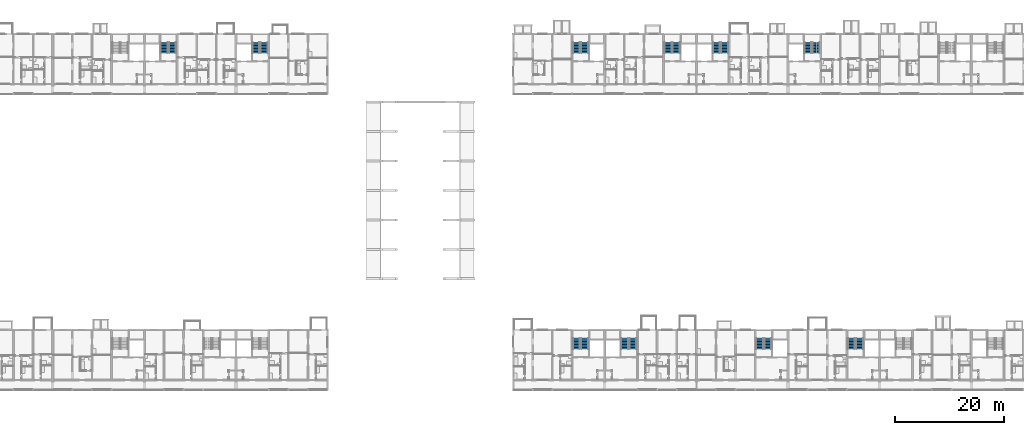
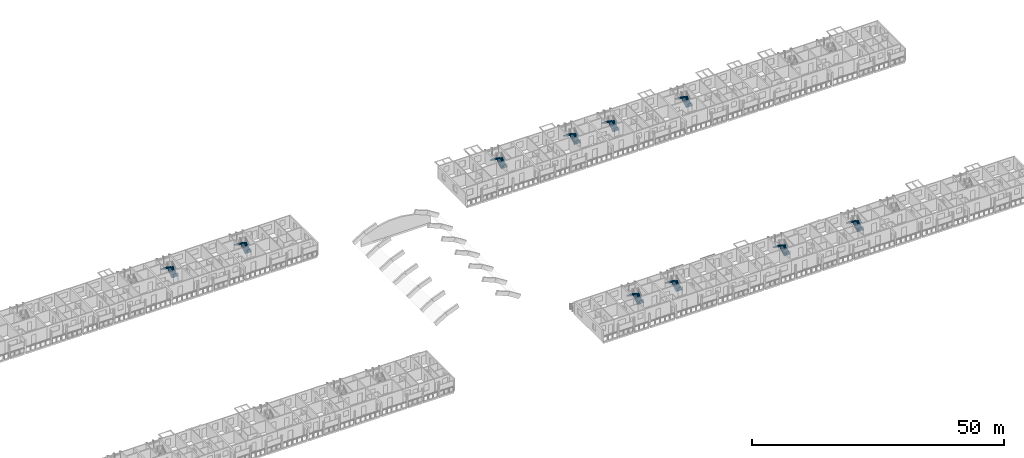
# One storey, part 61 of 99: 20 stair flights, 10 elements without a shape of their own.
"""IFC4 building model written with IfcOpenShell, lengths in metres."""

import ifcopenshell
import ifcopenshell.guid

model = None  # the IFC model being written
_history = None  # IfcOwnerHistory: only IFC2X3 demands one
_inside = {}  # id of a spatial element -> (the spatial element, [elements in it])
_under = {}  # id of a project, library or spatial element -> (it, [spatial elements below it])
_declared = {}  # id of a project -> (the project, [libraries it declares])
_typed = {}  # id of a type object -> (the type object, [elements of that type])
_made_of = {}  # id of a material, layer set ... -> (it, [elements and type objects made of it])


def new_model(schema):
    """Start an empty IFC model of exactly this schema.

    Asked for "IFC4X3", IfcOpenShell would pick the latest addendum, in which some entities
    have other attributes; the version numbers below select the first issue.
    IFC2X3 requires an IfcOwnerHistory on every rooted entity: one is made here for all.
    """
    global model, _history
    if schema == "IFC4X3":
        model = ifcopenshell.file(schema_version=(4, 3, 0, 0))
    else:
        model = ifcopenshell.file(schema=schema)
    _inside.clear()
    _under.clear()
    _declared.clear()
    _typed.clear()
    _made_of.clear()
    _history = None
    if model.schema == "IFC2X3":
        org = make("IfcOrganization", Name="unknown")
        user = make(
            "IfcPersonAndOrganization",
            ThePerson=make("IfcPerson", FamilyName="unknown"),
            TheOrganization=org,
        )
        app = make(
            "IfcApplication",
            ApplicationDeveloper=org,
            Version="unknown",
            ApplicationFullName="unknown",
            ApplicationIdentifier="unknown",
        )
        _history = make(
            "IfcOwnerHistory",
            OwningUser=user,
            OwningApplication=app,
            ChangeAction="ADDED",
            CreationDate=0,
        )
    return model


def make(cls, **values):
    """One entity of the class cls with the attributes given. An attribute that is None is left unset."""
    return model.create_entity(
        cls, **{name: value for name, value in values.items() if value is not None}
    )


def rooted(cls, **values):
    """An entity with a GlobalId (a new one), such as an element, a storey or a relation."""
    return make(cls, GlobalId=ifcopenshell.guid.new(), OwnerHistory=_history, **values)


def si_unit(unit_type, name, prefix=None):
    """IfcSIUnit, for example si_unit("LENGTHUNIT", "METRE", prefix="MILLI")."""
    return make("IfcSIUnit", UnitType=unit_type, Prefix=prefix, Name=name)


def assignment(units):
    """IfcUnitAssignment: the units of a project."""
    return None if units is None else make("IfcUnitAssignment", Units=units)


def point(xyz):
    """IfcCartesianPoint."""
    return None if xyz is None else make("IfcCartesianPoint", Coordinates=xyz)


def direction(xyz):
    """IfcDirection."""
    return None if xyz is None else make("IfcDirection", DirectionRatios=xyz)


def frame(location, z_axis=None, x_axis=None):
    """IfcAxis2Placement3D, a coordinate frame: its origin and axes. An axis left out is left unset."""
    return make(
        "IfcAxis2Placement3D",
        Location=point(location),
        Axis=direction(z_axis),
        RefDirection=direction(x_axis),
    )


def origin():
    """The frame at (0, 0, 0) with its axes left unset."""
    return frame((0.0, 0.0, 0.0))


def place(relative_to, where):
    """IfcLocalPlacement: puts the frame where relative to a parent placement (None: the world)."""
    return make(
        "IfcLocalPlacement", PlacementRelTo=relative_to, RelativePlacement=where
    )


def context(
    kind, dimensions, precision=None, world=None, true_north=None, identifier=None
):
    """IfcGeometricRepresentationContext, for example the 3D "Model" context."""
    return make(
        "IfcGeometricRepresentationContext",
        ContextIdentifier=identifier,
        ContextType=kind,
        CoordinateSpaceDimension=dimensions,
        Precision=precision,
        WorldCoordinateSystem=world,
        TrueNorth=true_north,
    )


def subcontext(parent, identifier, kind, view, scale=None):
    """IfcGeometricRepresentationSubContext, for example "Body" below "Model"."""
    return make(
        "IfcGeometricRepresentationSubContext",
        ContextIdentifier=identifier,
        ContextType=kind,
        ParentContext=parent,
        TargetScale=scale,
        TargetView=view,
    )


def project(units=None, contexts=None):
    """IfcProject with its units and contexts."""
    return rooted(
        "IfcProject",
        Name="project",
        RepresentationContexts=contexts,
        UnitsInContext=assignment(units),
    )


def spatial(cls, under=None, at=None, **own):
    """A site, building, storey or space (cls), placed at a placement, below another one or the project."""
    s = rooted(cls, ObjectPlacement=at, **own)
    if under is not None:
        _under.setdefault(under.id(), (under, []))[1].append(s)
    return s


def polyline(points):
    """IfcPolyline through the points."""
    return make("IfcPolyline", Points=[point(p) for p in points])


def outline(outer, holes=None, kind="AREA"):
    """IfcArbitraryClosedProfileDef: a profile drawn as a closed curve; with holes, ...WithVoids."""
    if holes is None:
        return make("IfcArbitraryClosedProfileDef", ProfileType=kind, OuterCurve=outer)
    return make(
        "IfcArbitraryProfileDefWithVoids",
        ProfileType=kind,
        OuterCurve=outer,
        InnerCurves=holes,
    )


def extrude(swept, where, along, depth):
    """IfcExtrudedAreaSolid: the profile swept, set in the frame where, extruded along a direction by depth."""
    return make(
        "IfcExtrudedAreaSolid",
        SweptArea=swept,
        Position=where,
        ExtrudedDirection=direction(along),
        Depth=depth,
    )


def shape(context_of_items, identifier, shape_type, items):
    """IfcShapeRepresentation: the items that make up one representation, for example the "Body"."""
    return make(
        "IfcShapeRepresentation",
        ContextOfItems=context_of_items,
        RepresentationIdentifier=identifier,
        RepresentationType=shape_type,
        Items=items,
    )


def material(Name=None, Category=None):
    """IfcMaterial."""
    return make("IfcMaterial", Name=Name, Category=Category)


def made_of(thing, what):
    """Note that an element or type object is made of a material, layer set ...; save() writes the relation."""
    if what is not None:
        _made_of.setdefault(what.id(), (what, []))[1].append(thing)
    return thing


def type_object(cls, material=None, **own):
    """A type object (cls), such as IfcWallType, which elements share."""
    return made_of(rooted(cls, **own), material)


def element(
    cls,
    number,
    at=None,
    inside=None,
    cuts=None,
    type_object=None,
    material=None,
    context=None,
    identifier="Body",
    shape_type=None,
    held_by="IfcProductDefinitionShape",
    body=None,
    shapes=None,
    **own,
):
    """One element of the class cls, such as IfcWall. Its Tag is "e" and its number.

    at: its placement. inside: the storey or other place that contains it. cuts: it is an
    opening in that element (IfcRelVoidsElement). A single representation is given by context,
    identifier, shape_type and body (its items); several are given by shapes. held_by: the class
    of the entity that holds the representations. save() writes the other relations.
    """
    e = rooted(cls, Tag="e%d" % number, ObjectPlacement=at, **own)
    if body is not None:
        shapes = [shape(context, identifier, shape_type, body)]
    if shapes is not None:
        e.Representation = make(held_by, Representations=shapes)
    if inside is not None:
        _inside.setdefault(inside.id(), (inside, []))[1].append(e)
    if cuts is not None:
        rooted(
            "IfcRelVoidsElement", RelatingBuildingElement=cuts, RelatedOpeningElement=e
        )
    if type_object is not None:
        _typed.setdefault(type_object.id(), (type_object, []))[1].append(e)
    return made_of(e, material)


def aggregate(whole, parts):
    """IfcRelAggregates: a whole, such as a stair, and the parts it consists of."""
    return rooted("IfcRelAggregates", RelatingObject=whole, RelatedObjects=parts)


def save(model, path):
    """Write the relations noted so far, then the file.

    IfcRelAggregates (storeys below a building ...), IfcRelContainedInSpatialStructure (elements
    in a storey), IfcRelDefinesByType, IfcRelAssociatesMaterial and IfcRelDeclares: one each for
    every whole, place, type object, material and project.
    """
    for whole, parts in _under.values():
        aggregate(whole, parts)
    for where, things in _inside.values():
        rooted(
            "IfcRelContainedInSpatialStructure",
            RelatedElements=things,
            RelatingStructure=where,
        )
    for kind, things in _typed.values():
        rooted("IfcRelDefinesByType", RelatedObjects=things, RelatingType=kind)
    for what, things in _made_of.values():
        rooted("IfcRelAssociatesMaterial", RelatedObjects=things, RelatingMaterial=what)
    for by, libraries in _declared.values():
        rooted("IfcRelDeclares", RelatingContext=by, RelatedDefinitions=libraries)
    model.write(path)


model = new_model("IFC4")

# Units and contexts
model_context = context("Model", 3, precision=1e-05, world=origin(), true_north=direction((0.0, 1.0)))
body_context = subcontext(model_context, "Body", "Model", "MODEL_VIEW")
ifc_project = project(units=[si_unit("LENGTHUNIT", "METRE"), si_unit("AREAUNIT", "SQUARE_METRE"), si_unit("VOLUMEUNIT", "CUBIC_METRE"), si_unit("PLANEANGLEUNIT", "RADIAN"), si_unit("MASSUNIT", "GRAM", prefix="KILO")], contexts=[model_context])

# Site, building, storey
site_placement = place(None, origin())
site = spatial("IfcSite", under=ifc_project, at=site_placement, CompositionType="ELEMENT")
building_placement = place(site_placement, origin())
building = spatial("IfcBuilding", under=site, at=building_placement, Name="Ridgestep Commons", CompositionType="ELEMENT")
storey_placement = place(building_placement, frame((0.0, 0.0, 15.0)))
storey = spatial("IfcBuildingStorey", under=building, at=storey_placement, Name="L05", CompositionType="ELEMENT", Elevation=15.0)

# Stair, stair flights
ifc_material_1 = material(Name="Precast concrete C40/50", Category="concrete")
stair_type = type_object("IfcStairType", Name="Escape stair 1400", PredefinedType="HALF_TURN_STAIR", material=ifc_material_1)
stair_1_placement = place(storey_placement, origin())
stair_1 = element("IfcStair", 1, at=stair_1_placement, inside=storey, type_object=stair_type, Name="L05 Escape stair B5C", PredefinedType="HALF_TURN_STAIR")
ifc_material_2 = material(Name="Precast concrete C40/50", Category="concrete")
stair_flight_type = type_object("IfcStairFlightType", Name="Stair flight 1400", PredefinedType="STRAIGHT", material=ifc_material_2)
stair_flight_1_placement = place(storey_placement, frame((84.375, 73.60009765625, 0.0), z_axis=(0.0, 0.0, 1.0), x_axis=(0.0, 1.0, 0.0)))
stair_flight_1 = element("IfcStairFlight", 2, at=stair_flight_1_placement, type_object=stair_flight_type, Name="B5C flight 1", NumberOfRisers=8, NumberOfTreads=7, PredefinedType="STRAIGHT", RiserHeight=0.1875, TreadLength=0.28, context=body_context, shape_type="SweptSolid", body=[
    extrude(outline(polyline([(0.0, 0.0), (0.0, 0.1875), (0.280029296875, 0.1875), (0.280029296875, 0.375), (0.56005859375, 0.375), (0.56005859375, 0.5625), (0.840087890625, 0.5625), (0.840087890625, 0.75), (1.1201171875, 0.75), (1.1201171875, 0.9375), (1.39990234375, 0.9375), (1.39990234375, 1.125), (1.679931640625, 1.125), (1.679931640625, 1.3125), (1.9599609375, 1.3125), (1.9599609375, 1.5), (1.9599609375, 1.132080078125), (0.26953125, 0.0), (0.0, 0.0)])), frame((0.0, 0.699951171875, 0.0), z_axis=(0.0, -1.0, 0.0), x_axis=(1.0, 0.0, 0.0)), (0.0, 0.0, 1.0), 0.695068359375),
    extrude(outline(polyline([(0.0, 0.0), (0.0, 0.1875), (0.280029296875, 0.1875), (0.280029296875, 0.375), (0.56005859375, 0.375), (0.56005859375, 0.5625), (0.840087890625, 0.5625), (0.840087890625, 0.75), (1.1201171875, 0.75), (1.1201171875, 0.9375), (1.39990234375, 0.9375), (1.39990234375, 1.125), (1.679931640625, 1.125), (1.679931640625, 1.3125), (1.9599609375, 1.3125), (1.9599609375, 1.5), (1.9599609375, 1.132080078125), (0.26953125, 0.0), (0.0, 0.0)])), frame((0.0, -0.0048828125, 0.0), z_axis=(0.0, -1.0, 0.0), x_axis=(1.0, 0.0, 0.0)), (0.0, 0.0, 1.0), 0.695068359375),
])
stair_flight_2_placement = place(storey_placement, frame((82.875, 75.56005859375, 1.5), z_axis=(0.0, 0.0, 1.0), x_axis=(0.0, -1.0, 0.0)))
stair_flight_2 = element("IfcStairFlight", 3, at=stair_flight_2_placement, type_object=stair_flight_type, Name="B5C flight 2", NumberOfRisers=8, NumberOfTreads=7, PredefinedType="STRAIGHT", RiserHeight=0.1875, TreadLength=0.28, context=body_context, shape_type="SweptSolid", body=[
    extrude(outline(polyline([(0.0, 0.0), (0.0, 0.1875), (0.280029296875, 0.1875), (0.280029296875, 0.375), (0.56005859375, 0.375), (0.56005859375, 0.5625), (0.840087890625, 0.5625), (0.840087890625, 0.75), (1.1201171875, 0.75), (1.1201171875, 0.9375), (1.39990234375, 0.9375), (1.39990234375, 1.125), (1.679931640625, 1.125), (1.679931640625, 1.3125), (1.9599609375, 1.3125), (1.9599609375, 1.5), (1.9599609375, 1.132080078125), (0.26953125, 0.0), (0.0, 0.0)])), frame((0.0, 0.699951171875, 0.0), z_axis=(0.0, -1.0, 0.0), x_axis=(1.0, 0.0, 0.0)), (0.0, 0.0, 1.0), 0.695068359375),
    extrude(outline(polyline([(0.0, 0.0), (0.0, 0.1875), (0.280029296875, 0.1875), (0.280029296875, 0.375), (0.56005859375, 0.375), (0.56005859375, 0.5625), (0.840087890625, 0.5625), (0.840087890625, 0.75), (1.1201171875, 0.75), (1.1201171875, 0.9375), (1.39990234375, 0.9375), (1.39990234375, 1.125), (1.679931640625, 1.125), (1.679931640625, 1.3125), (1.9599609375, 1.3125), (1.9599609375, 1.5), (1.9599609375, 1.132080078125), (0.26953125, 0.0), (0.0, 0.0)])), frame((0.0, -0.0048828125, 0.0), z_axis=(0.0, -1.0, 0.0), x_axis=(1.0, 0.0, 0.0)), (0.0, 0.0, 1.0), 0.695068359375),
])
aggregate(stair_1, [stair_flight_1, stair_flight_2])

stair_2_placement = place(storey_placement, origin())
stair_2 = element("IfcStair", 4, at=stair_2_placement, inside=storey, type_object=stair_type, Name="L05 Escape stair B6C", PredefinedType="HALF_TURN_STAIR")
stair_flight_3_placement = place(storey_placement, frame((101.175048828125, 73.60009765625, 0.0), z_axis=(0.0, 0.0, 1.0), x_axis=(0.0, 1.0, 0.0)))
stair_flight_3 = element("IfcStairFlight", 5, at=stair_flight_3_placement, type_object=stair_flight_type, Name="B6C flight 1", NumberOfRisers=8, NumberOfTreads=7, PredefinedType="STRAIGHT", RiserHeight=0.1875, TreadLength=0.28, context=body_context, shape_type="SweptSolid", body=[
    extrude(outline(polyline([(0.0, 0.0), (0.0, 0.1875), (0.280029296875, 0.1875), (0.280029296875, 0.375), (0.56005859375, 0.375), (0.56005859375, 0.5625), (0.840087890625, 0.5625), (0.840087890625, 0.75), (1.1201171875, 0.75), (1.1201171875, 0.9375), (1.39990234375, 0.9375), (1.39990234375, 1.125), (1.679931640625, 1.125), (1.679931640625, 1.3125), (1.9599609375, 1.3125), (1.9599609375, 1.5), (1.9599609375, 1.132080078125), (0.26953125, 0.0), (0.0, 0.0)])), frame((0.0, 0.699951171875, 0.0), z_axis=(0.0, -1.0, 0.0), x_axis=(1.0, 0.0, 0.0)), (0.0, 0.0, 1.0), 0.695068359375),
    extrude(outline(polyline([(0.0, 0.0), (0.0, 0.1875), (0.280029296875, 0.1875), (0.280029296875, 0.375), (0.56005859375, 0.375), (0.56005859375, 0.5625), (0.840087890625, 0.5625), (0.840087890625, 0.75), (1.1201171875, 0.75), (1.1201171875, 0.9375), (1.39990234375, 0.9375), (1.39990234375, 1.125), (1.679931640625, 1.125), (1.679931640625, 1.3125), (1.9599609375, 1.3125), (1.9599609375, 1.5), (1.9599609375, 1.132080078125), (0.26953125, 0.0), (0.0, 0.0)])), frame((0.0, -0.0048828125, 0.0), z_axis=(0.0, -1.0, 0.0), x_axis=(1.0, 0.0, 0.0)), (0.0, 0.0, 1.0), 0.695068359375),
])
stair_flight_4_placement = place(storey_placement, frame((99.675048828125, 75.56005859375, 1.5), z_axis=(0.0, 0.0, 1.0), x_axis=(0.0, -1.0, 0.0)))
stair_flight_4 = element("IfcStairFlight", 6, at=stair_flight_4_placement, type_object=stair_flight_type, Name="B6C flight 2", NumberOfRisers=8, NumberOfTreads=7, PredefinedType="STRAIGHT", RiserHeight=0.1875, TreadLength=0.28, context=body_context, shape_type="SweptSolid", body=[
    extrude(outline(polyline([(0.0, 0.0), (0.0, 0.1875), (0.280029296875, 0.1875), (0.280029296875, 0.375), (0.56005859375, 0.375), (0.56005859375, 0.5625), (0.840087890625, 0.5625), (0.840087890625, 0.75), (1.1201171875, 0.75), (1.1201171875, 0.9375), (1.39990234375, 0.9375), (1.39990234375, 1.125), (1.679931640625, 1.125), (1.679931640625, 1.3125), (1.9599609375, 1.3125), (1.9599609375, 1.5), (1.9599609375, 1.132080078125), (0.26953125, 0.0), (0.0, 0.0)])), frame((0.0, 0.699951171875, 0.0), z_axis=(0.0, -1.0, 0.0), x_axis=(1.0, 0.0, 0.0)), (0.0, 0.0, 1.0), 0.695068359375),
    extrude(outline(polyline([(0.0, 0.0), (0.0, 0.1875), (0.280029296875, 0.1875), (0.280029296875, 0.375), (0.56005859375, 0.375), (0.56005859375, 0.5625), (0.840087890625, 0.5625), (0.840087890625, 0.75), (1.1201171875, 0.75), (1.1201171875, 0.9375), (1.39990234375, 0.9375), (1.39990234375, 1.125), (1.679931640625, 1.125), (1.679931640625, 1.3125), (1.9599609375, 1.3125), (1.9599609375, 1.5), (1.9599609375, 1.132080078125), (0.26953125, 0.0), (0.0, 0.0)])), frame((0.0, -0.0048828125, 0.0), z_axis=(0.0, -1.0, 0.0), x_axis=(1.0, 0.0, 0.0)), (0.0, 0.0, 1.0), 0.695068359375),
])
aggregate(stair_2, [stair_flight_3, stair_flight_4])

stair_3_placement = place(storey_placement, origin())
stair_3 = element("IfcStair", 7, at=stair_3_placement, inside=storey, type_object=stair_type, Name="L05 Escape stair C1C", PredefinedType="HALF_TURN_STAIR")
stair_flight_5_placement = place(storey_placement, frame((159.925048828125, 73.60009765625, 0.0), z_axis=(0.0, 0.0, 1.0), x_axis=(0.0, 1.0, 0.0)))
stair_flight_5 = element("IfcStairFlight", 8, at=stair_flight_5_placement, type_object=stair_flight_type, Name="C1C flight 1", NumberOfRisers=8, NumberOfTreads=7, PredefinedType="STRAIGHT", RiserHeight=0.1875, TreadLength=0.28, context=body_context, shape_type="SweptSolid", body=[
    extrude(outline(polyline([(0.0, 0.0), (0.0, 0.1875), (0.280029296875, 0.1875), (0.280029296875, 0.375), (0.56005859375, 0.375), (0.56005859375, 0.5625), (0.840087890625, 0.5625), (0.840087890625, 0.75), (1.1201171875, 0.75), (1.1201171875, 0.9375), (1.39990234375, 0.9375), (1.39990234375, 1.125), (1.679931640625, 1.125), (1.679931640625, 1.3125), (1.9599609375, 1.3125), (1.9599609375, 1.5), (1.9599609375, 1.132080078125), (0.26953125, 0.0), (0.0, 0.0)])), frame((0.0, 0.699951171875, 0.0), z_axis=(0.0, -1.0, 0.0), x_axis=(1.0, 0.0, 0.0)), (0.0, 0.0, 1.0), 0.695068359375),
    extrude(outline(polyline([(0.0, 0.0), (0.0, 0.1875), (0.280029296875, 0.1875), (0.280029296875, 0.375), (0.56005859375, 0.375), (0.56005859375, 0.5625), (0.840087890625, 0.5625), (0.840087890625, 0.75), (1.1201171875, 0.75), (1.1201171875, 0.9375), (1.39990234375, 0.9375), (1.39990234375, 1.125), (1.679931640625, 1.125), (1.679931640625, 1.3125), (1.9599609375, 1.3125), (1.9599609375, 1.5), (1.9599609375, 1.132080078125), (0.26953125, 0.0), (0.0, 0.0)])), frame((0.0, -0.0048828125, 0.0), z_axis=(0.0, -1.0, 0.0), x_axis=(1.0, 0.0, 0.0)), (0.0, 0.0, 1.0), 0.695068359375),
])
stair_flight_6_placement = place(storey_placement, frame((158.425048828125, 75.56005859375, 1.5), z_axis=(0.0, 0.0, 1.0), x_axis=(0.0, -1.0, 0.0)))
stair_flight_6 = element("IfcStairFlight", 9, at=stair_flight_6_placement, type_object=stair_flight_type, Name="C1C flight 2", NumberOfRisers=8, NumberOfTreads=7, PredefinedType="STRAIGHT", RiserHeight=0.1875, TreadLength=0.28, context=body_context, shape_type="SweptSolid", body=[
    extrude(outline(polyline([(0.0, 0.0), (0.0, 0.1875), (0.280029296875, 0.1875), (0.280029296875, 0.375), (0.56005859375, 0.375), (0.56005859375, 0.5625), (0.840087890625, 0.5625), (0.840087890625, 0.75), (1.1201171875, 0.75), (1.1201171875, 0.9375), (1.39990234375, 0.9375), (1.39990234375, 1.125), (1.679931640625, 1.125), (1.679931640625, 1.3125), (1.9599609375, 1.3125), (1.9599609375, 1.5), (1.9599609375, 1.132080078125), (0.26953125, 0.0), (0.0, 0.0)])), frame((0.0, 0.699951171875, 0.0), z_axis=(0.0, -1.0, 0.0), x_axis=(1.0, 0.0, 0.0)), (0.0, 0.0, 1.0), 0.695068359375),
    extrude(outline(polyline([(0.0, 0.0), (0.0, 0.1875), (0.280029296875, 0.1875), (0.280029296875, 0.375), (0.56005859375, 0.375), (0.56005859375, 0.5625), (0.840087890625, 0.5625), (0.840087890625, 0.75), (1.1201171875, 0.75), (1.1201171875, 0.9375), (1.39990234375, 0.9375), (1.39990234375, 1.125), (1.679931640625, 1.125), (1.679931640625, 1.3125), (1.9599609375, 1.3125), (1.9599609375, 1.5), (1.9599609375, 1.132080078125), (0.26953125, 0.0), (0.0, 0.0)])), frame((0.0, -0.0048828125, 0.0), z_axis=(0.0, -1.0, 0.0), x_axis=(1.0, 0.0, 0.0)), (0.0, 0.0, 1.0), 0.695068359375),
])
aggregate(stair_3, [stair_flight_5, stair_flight_6])

stair_4_placement = place(storey_placement, origin())
stair_4 = element("IfcStair", 10, at=stair_4_placement, inside=storey, type_object=stair_type, Name="L05 Escape stair C2C", PredefinedType="HALF_TURN_STAIR")
stair_flight_7_placement = place(storey_placement, frame((176.72509765625, 73.60009765625, 0.0), z_axis=(0.0, 0.0, 1.0), x_axis=(0.0, 1.0, 0.0)))
stair_flight_7 = element("IfcStairFlight", 11, at=stair_flight_7_placement, type_object=stair_flight_type, Name="C2C flight 1", NumberOfRisers=8, NumberOfTreads=7, PredefinedType="STRAIGHT", RiserHeight=0.1875, TreadLength=0.28, context=body_context, shape_type="SweptSolid", body=[
    extrude(outline(polyline([(0.0, 0.0), (0.0, 0.1875), (0.280029296875, 0.1875), (0.280029296875, 0.375), (0.56005859375, 0.375), (0.56005859375, 0.5625), (0.840087890625, 0.5625), (0.840087890625, 0.75), (1.1201171875, 0.75), (1.1201171875, 0.9375), (1.39990234375, 0.9375), (1.39990234375, 1.125), (1.679931640625, 1.125), (1.679931640625, 1.3125), (1.9599609375, 1.3125), (1.9599609375, 1.5), (1.9599609375, 1.132080078125), (0.26953125, 0.0), (0.0, 0.0)])), frame((0.0, 0.699951171875, 0.0), z_axis=(0.0, -1.0, 0.0), x_axis=(1.0, 0.0, 0.0)), (0.0, 0.0, 1.0), 0.695068359375),
    extrude(outline(polyline([(0.0, 0.0), (0.0, 0.1875), (0.280029296875, 0.1875), (0.280029296875, 0.375), (0.56005859375, 0.375), (0.56005859375, 0.5625), (0.840087890625, 0.5625), (0.840087890625, 0.75), (1.1201171875, 0.75), (1.1201171875, 0.9375), (1.39990234375, 0.9375), (1.39990234375, 1.125), (1.679931640625, 1.125), (1.679931640625, 1.3125), (1.9599609375, 1.3125), (1.9599609375, 1.5), (1.9599609375, 1.132080078125), (0.26953125, 0.0), (0.0, 0.0)])), frame((0.0, -0.0048828125, 0.0), z_axis=(0.0, -1.0, 0.0), x_axis=(1.0, 0.0, 0.0)), (0.0, 0.0, 1.0), 0.695068359375),
])
stair_flight_8_placement = place(storey_placement, frame((175.22509765625, 75.56005859375, 1.5), z_axis=(0.0, 0.0, 1.0), x_axis=(0.0, -1.0, 0.0)))
stair_flight_8 = element("IfcStairFlight", 12, at=stair_flight_8_placement, type_object=stair_flight_type, Name="C2C flight 2", NumberOfRisers=8, NumberOfTreads=7, PredefinedType="STRAIGHT", RiserHeight=0.1875, TreadLength=0.28, context=body_context, shape_type="SweptSolid", body=[
    extrude(outline(polyline([(0.0, 0.0), (0.0, 0.1875), (0.280029296875, 0.1875), (0.280029296875, 0.375), (0.56005859375, 0.375), (0.56005859375, 0.5625), (0.840087890625, 0.5625), (0.840087890625, 0.75), (1.1201171875, 0.75), (1.1201171875, 0.9375), (1.39990234375, 0.9375), (1.39990234375, 1.125), (1.679931640625, 1.125), (1.679931640625, 1.3125), (1.9599609375, 1.3125), (1.9599609375, 1.5), (1.9599609375, 1.132080078125), (0.26953125, 0.0), (0.0, 0.0)])), frame((0.0, 0.699951171875, 0.0), z_axis=(0.0, -1.0, 0.0), x_axis=(1.0, 0.0, 0.0)), (0.0, 0.0, 1.0), 0.695068359375),
    extrude(outline(polyline([(0.0, 0.0), (0.0, 0.1875), (0.280029296875, 0.1875), (0.280029296875, 0.375), (0.56005859375, 0.375), (0.56005859375, 0.5625), (0.840087890625, 0.5625), (0.840087890625, 0.75), (1.1201171875, 0.75), (1.1201171875, 0.9375), (1.39990234375, 0.9375), (1.39990234375, 1.125), (1.679931640625, 1.125), (1.679931640625, 1.3125), (1.9599609375, 1.3125), (1.9599609375, 1.5), (1.9599609375, 1.132080078125), (0.26953125, 0.0), (0.0, 0.0)])), frame((0.0, -0.0048828125, 0.0), z_axis=(0.0, -1.0, 0.0), x_axis=(1.0, 0.0, 0.0)), (0.0, 0.0, 1.0), 0.695068359375),
])
aggregate(stair_4, [stair_flight_7, stair_flight_8])

stair_5_placement = place(storey_placement, origin())
stair_5 = element("IfcStair", 13, at=stair_5_placement, inside=storey, type_object=stair_type, Name="L05 Escape stair C3C", PredefinedType="HALF_TURN_STAIR")
stair_flight_9_placement = place(storey_placement, frame((185.574951171875, 73.60009765625, 0.0), z_axis=(0.0, 0.0, 1.0), x_axis=(0.0, 1.0, 0.0)))
stair_flight_9 = element("IfcStairFlight", 14, at=stair_flight_9_placement, type_object=stair_flight_type, Name="C3C flight 1", NumberOfRisers=8, NumberOfTreads=7, PredefinedType="STRAIGHT", RiserHeight=0.1875, TreadLength=0.28, context=body_context, shape_type="SweptSolid", body=[
    extrude(outline(polyline([(0.0, 0.0), (0.0, 0.1875), (0.280029296875, 0.1875), (0.280029296875, 0.375), (0.56005859375, 0.375), (0.56005859375, 0.5625), (0.840087890625, 0.5625), (0.840087890625, 0.75), (1.1201171875, 0.75), (1.1201171875, 0.9375), (1.39990234375, 0.9375), (1.39990234375, 1.125), (1.679931640625, 1.125), (1.679931640625, 1.3125), (1.9599609375, 1.3125), (1.9599609375, 1.5), (1.9599609375, 1.132080078125), (0.26953125, 0.0), (0.0, 0.0)])), frame((0.0, 0.699951171875, 0.0), z_axis=(0.0, -1.0, 0.0), x_axis=(1.0, 0.0, 0.0)), (0.0, 0.0, 1.0), 0.695068359375),
    extrude(outline(polyline([(0.0, 0.0), (0.0, 0.1875), (0.280029296875, 0.1875), (0.280029296875, 0.375), (0.56005859375, 0.375), (0.56005859375, 0.5625), (0.840087890625, 0.5625), (0.840087890625, 0.75), (1.1201171875, 0.75), (1.1201171875, 0.9375), (1.39990234375, 0.9375), (1.39990234375, 1.125), (1.679931640625, 1.125), (1.679931640625, 1.3125), (1.9599609375, 1.3125), (1.9599609375, 1.5), (1.9599609375, 1.132080078125), (0.26953125, 0.0), (0.0, 0.0)])), frame((0.0, -0.0048828125, 0.0), z_axis=(0.0, -1.0, 0.0), x_axis=(1.0, 0.0, 0.0)), (0.0, 0.0, 1.0), 0.695068359375),
])
stair_flight_10_placement = place(storey_placement, frame((184.074951171875, 75.56005859375, 1.5), z_axis=(0.0, 0.0, 1.0), x_axis=(0.0, -1.0, 0.0)))
stair_flight_10 = element("IfcStairFlight", 15, at=stair_flight_10_placement, type_object=stair_flight_type, Name="C3C flight 2", NumberOfRisers=8, NumberOfTreads=7, PredefinedType="STRAIGHT", RiserHeight=0.1875, TreadLength=0.28, context=body_context, shape_type="SweptSolid", body=[
    extrude(outline(polyline([(0.0, 0.0), (0.0, 0.1875), (0.280029296875, 0.1875), (0.280029296875, 0.375), (0.56005859375, 0.375), (0.56005859375, 0.5625), (0.840087890625, 0.5625), (0.840087890625, 0.75), (1.1201171875, 0.75), (1.1201171875, 0.9375), (1.39990234375, 0.9375), (1.39990234375, 1.125), (1.679931640625, 1.125), (1.679931640625, 1.3125), (1.9599609375, 1.3125), (1.9599609375, 1.5), (1.9599609375, 1.132080078125), (0.26953125, 0.0), (0.0, 0.0)])), frame((0.0, 0.699951171875, 0.0), z_axis=(0.0, -1.0, 0.0), x_axis=(1.0, 0.0, 0.0)), (0.0, 0.0, 1.0), 0.695068359375),
    extrude(outline(polyline([(0.0, 0.0), (0.0, 0.1875), (0.280029296875, 0.1875), (0.280029296875, 0.375), (0.56005859375, 0.375), (0.56005859375, 0.5625), (0.840087890625, 0.5625), (0.840087890625, 0.75), (1.1201171875, 0.75), (1.1201171875, 0.9375), (1.39990234375, 0.9375), (1.39990234375, 1.125), (1.679931640625, 1.125), (1.679931640625, 1.3125), (1.9599609375, 1.3125), (1.9599609375, 1.5), (1.9599609375, 1.132080078125), (0.26953125, 0.0), (0.0, 0.0)])), frame((0.0, -0.0048828125, 0.0), z_axis=(0.0, -1.0, 0.0), x_axis=(1.0, 0.0, 0.0)), (0.0, 0.0, 1.0), 0.695068359375),
])
aggregate(stair_5, [stair_flight_9, stair_flight_10])

stair_6_placement = place(storey_placement, origin())
stair_6 = element("IfcStair", 16, at=stair_6_placement, inside=storey, type_object=stair_type, Name="L05 Escape stair C4C", PredefinedType="HALF_TURN_STAIR")
stair_flight_11_placement = place(storey_placement, frame((202.375, 73.60009765625, 0.0), z_axis=(0.0, 0.0, 1.0), x_axis=(0.0, 1.0, 0.0)))
stair_flight_11 = element("IfcStairFlight", 17, at=stair_flight_11_placement, type_object=stair_flight_type, Name="C4C flight 1", NumberOfRisers=8, NumberOfTreads=7, PredefinedType="STRAIGHT", RiserHeight=0.1875, TreadLength=0.28, context=body_context, shape_type="SweptSolid", body=[
    extrude(outline(polyline([(0.0, 0.0), (0.0, 0.1875), (0.280029296875, 0.1875), (0.280029296875, 0.375), (0.56005859375, 0.375), (0.56005859375, 0.5625), (0.840087890625, 0.5625), (0.840087890625, 0.75), (1.1201171875, 0.75), (1.1201171875, 0.9375), (1.39990234375, 0.9375), (1.39990234375, 1.125), (1.679931640625, 1.125), (1.679931640625, 1.3125), (1.9599609375, 1.3125), (1.9599609375, 1.5), (1.9599609375, 1.132080078125), (0.26953125, 0.0), (0.0, 0.0)])), frame((0.0, 0.699951171875, 0.0), z_axis=(0.0, -1.0, 0.0), x_axis=(1.0, 0.0, 0.0)), (0.0, 0.0, 1.0), 0.695068359375),
    extrude(outline(polyline([(0.0, 0.0), (0.0, 0.1875), (0.280029296875, 0.1875), (0.280029296875, 0.375), (0.56005859375, 0.375), (0.56005859375, 0.5625), (0.840087890625, 0.5625), (0.840087890625, 0.75), (1.1201171875, 0.75), (1.1201171875, 0.9375), (1.39990234375, 0.9375), (1.39990234375, 1.125), (1.679931640625, 1.125), (1.679931640625, 1.3125), (1.9599609375, 1.3125), (1.9599609375, 1.5), (1.9599609375, 1.132080078125), (0.26953125, 0.0), (0.0, 0.0)])), frame((0.0, -0.0048828125, 0.0), z_axis=(0.0, -1.0, 0.0), x_axis=(1.0, 0.0, 0.0)), (0.0, 0.0, 1.0), 0.695068359375),
])
stair_flight_12_placement = place(storey_placement, frame((200.875, 75.56005859375, 1.5), z_axis=(0.0, 0.0, 1.0), x_axis=(0.0, -1.0, 0.0)))
stair_flight_12 = element("IfcStairFlight", 18, at=stair_flight_12_placement, type_object=stair_flight_type, Name="C4C flight 2", NumberOfRisers=8, NumberOfTreads=7, PredefinedType="STRAIGHT", RiserHeight=0.1875, TreadLength=0.28, context=body_context, shape_type="SweptSolid", body=[
    extrude(outline(polyline([(0.0, 0.0), (0.0, 0.1875), (0.280029296875, 0.1875), (0.280029296875, 0.375), (0.56005859375, 0.375), (0.56005859375, 0.5625), (0.840087890625, 0.5625), (0.840087890625, 0.75), (1.1201171875, 0.75), (1.1201171875, 0.9375), (1.39990234375, 0.9375), (1.39990234375, 1.125), (1.679931640625, 1.125), (1.679931640625, 1.3125), (1.9599609375, 1.3125), (1.9599609375, 1.5), (1.9599609375, 1.132080078125), (0.26953125, 0.0), (0.0, 0.0)])), frame((0.0, 0.699951171875, 0.0), z_axis=(0.0, -1.0, 0.0), x_axis=(1.0, 0.0, 0.0)), (0.0, 0.0, 1.0), 0.695068359375),
    extrude(outline(polyline([(0.0, 0.0), (0.0, 0.1875), (0.280029296875, 0.1875), (0.280029296875, 0.375), (0.56005859375, 0.375), (0.56005859375, 0.5625), (0.840087890625, 0.5625), (0.840087890625, 0.75), (1.1201171875, 0.75), (1.1201171875, 0.9375), (1.39990234375, 0.9375), (1.39990234375, 1.125), (1.679931640625, 1.125), (1.679931640625, 1.3125), (1.9599609375, 1.3125), (1.9599609375, 1.5), (1.9599609375, 1.132080078125), (0.26953125, 0.0), (0.0, 0.0)])), frame((0.0, -0.0048828125, 0.0), z_axis=(0.0, -1.0, 0.0), x_axis=(1.0, 0.0, 0.0)), (0.0, 0.0, 1.0), 0.695068359375),
])
aggregate(stair_6, [stair_flight_11, stair_flight_12])

stair_7_placement = place(storey_placement, origin())
stair_7 = element("IfcStair", 19, at=stair_7_placement, inside=storey, type_object=stair_type, Name="L05 Escape stair D1C", PredefinedType="HALF_TURN_STAIR")
stair_flight_13_placement = place(storey_placement, frame((159.925048828125, 19.35009765625, 0.0), z_axis=(0.0, 0.0, 1.0), x_axis=(0.0, 1.0, 0.0)))
stair_flight_13 = element("IfcStairFlight", 20, at=stair_flight_13_placement, type_object=stair_flight_type, Name="D1C flight 1", NumberOfRisers=8, NumberOfTreads=7, PredefinedType="STRAIGHT", RiserHeight=0.1875, TreadLength=0.28, context=body_context, shape_type="SweptSolid", body=[
    extrude(outline(polyline([(0.0, 0.0), (0.0, 0.1875), (0.280029296875, 0.1875), (0.280029296875, 0.375), (0.56005859375, 0.375), (0.56005859375, 0.5625), (0.840087890625, 0.5625), (0.840087890625, 0.75), (1.1201171875, 0.75), (1.1201171875, 0.9375), (1.39990234375, 0.9375), (1.39990234375, 1.125), (1.679931640625, 1.125), (1.679931640625, 1.3125), (1.9599609375, 1.3125), (1.9599609375, 1.5), (1.9599609375, 1.132080078125), (0.26953125, 0.0), (0.0, 0.0)])), frame((0.0, 0.699951171875, 0.0), z_axis=(0.0, -1.0, 0.0), x_axis=(1.0, 0.0, 0.0)), (0.0, 0.0, 1.0), 0.695068359375),
    extrude(outline(polyline([(0.0, 0.0), (0.0, 0.1875), (0.280029296875, 0.1875), (0.280029296875, 0.375), (0.56005859375, 0.375), (0.56005859375, 0.5625), (0.840087890625, 0.5625), (0.840087890625, 0.75), (1.1201171875, 0.75), (1.1201171875, 0.9375), (1.39990234375, 0.9375), (1.39990234375, 1.125), (1.679931640625, 1.125), (1.679931640625, 1.3125), (1.9599609375, 1.3125), (1.9599609375, 1.5), (1.9599609375, 1.132080078125), (0.26953125, 0.0), (0.0, 0.0)])), frame((0.0, -0.0048828125, 0.0), z_axis=(0.0, -1.0, 0.0), x_axis=(1.0, 0.0, 0.0)), (0.0, 0.0, 1.0), 0.695068359375),
])
stair_flight_14_placement = place(storey_placement, frame((158.425048828125, 21.31005859375, 1.5), z_axis=(0.0, 0.0, 1.0), x_axis=(0.0, -1.0, 0.0)))
stair_flight_14 = element("IfcStairFlight", 21, at=stair_flight_14_placement, type_object=stair_flight_type, Name="D1C flight 2", NumberOfRisers=8, NumberOfTreads=7, PredefinedType="STRAIGHT", RiserHeight=0.1875, TreadLength=0.28, context=body_context, shape_type="SweptSolid", body=[
    extrude(outline(polyline([(0.0, 0.0), (0.0, 0.1875), (0.280029296875, 0.1875), (0.280029296875, 0.375), (0.56005859375, 0.375), (0.56005859375, 0.5625), (0.840087890625, 0.5625), (0.840087890625, 0.75), (1.1201171875, 0.75), (1.1201171875, 0.9375), (1.39990234375, 0.9375), (1.39990234375, 1.125), (1.679931640625, 1.125), (1.679931640625, 1.3125), (1.9599609375, 1.3125), (1.9599609375, 1.5), (1.9599609375, 1.132080078125), (0.26953125, 0.0), (0.0, 0.0)])), frame((0.0, 0.699951171875, 0.0), z_axis=(0.0, -1.0, 0.0), x_axis=(1.0, 0.0, 0.0)), (0.0, 0.0, 1.0), 0.695068359375),
    extrude(outline(polyline([(0.0, 0.0), (0.0, 0.1875), (0.280029296875, 0.1875), (0.280029296875, 0.375), (0.56005859375, 0.375), (0.56005859375, 0.5625), (0.840087890625, 0.5625), (0.840087890625, 0.75), (1.1201171875, 0.75), (1.1201171875, 0.9375), (1.39990234375, 0.9375), (1.39990234375, 1.125), (1.679931640625, 1.125), (1.679931640625, 1.3125), (1.9599609375, 1.3125), (1.9599609375, 1.5), (1.9599609375, 1.132080078125), (0.26953125, 0.0), (0.0, 0.0)])), frame((0.0, -0.0048828125, 0.0), z_axis=(0.0, -1.0, 0.0), x_axis=(1.0, 0.0, 0.0)), (0.0, 0.0, 1.0), 0.695068359375),
])
aggregate(stair_7, [stair_flight_13, stair_flight_14])

stair_8_placement = place(storey_placement, origin())
stair_8 = element("IfcStair", 22, at=stair_8_placement, inside=storey, type_object=stair_type, Name="L05 Escape stair D2C", PredefinedType="HALF_TURN_STAIR")
stair_flight_15_placement = place(storey_placement, frame((168.77490234375, 19.35009765625, 0.0), z_axis=(0.0, 0.0, 1.0), x_axis=(0.0, 1.0, 0.0)))
stair_flight_15 = element("IfcStairFlight", 23, at=stair_flight_15_placement, type_object=stair_flight_type, Name="D2C flight 1", NumberOfRisers=8, NumberOfTreads=7, PredefinedType="STRAIGHT", RiserHeight=0.1875, TreadLength=0.28, context=body_context, shape_type="SweptSolid", body=[
    extrude(outline(polyline([(0.0, 0.0), (0.0, 0.1875), (0.280029296875, 0.1875), (0.280029296875, 0.375), (0.56005859375, 0.375), (0.56005859375, 0.5625), (0.840087890625, 0.5625), (0.840087890625, 0.75), (1.1201171875, 0.75), (1.1201171875, 0.9375), (1.39990234375, 0.9375), (1.39990234375, 1.125), (1.679931640625, 1.125), (1.679931640625, 1.3125), (1.9599609375, 1.3125), (1.9599609375, 1.5), (1.9599609375, 1.132080078125), (0.26953125, 0.0), (0.0, 0.0)])), frame((0.0, 0.699951171875, 0.0), z_axis=(0.0, -1.0, 0.0), x_axis=(1.0, 0.0, 0.0)), (0.0, 0.0, 1.0), 0.695068359375),
    extrude(outline(polyline([(0.0, 0.0), (0.0, 0.1875), (0.280029296875, 0.1875), (0.280029296875, 0.375), (0.56005859375, 0.375), (0.56005859375, 0.5625), (0.840087890625, 0.5625), (0.840087890625, 0.75), (1.1201171875, 0.75), (1.1201171875, 0.9375), (1.39990234375, 0.9375), (1.39990234375, 1.125), (1.679931640625, 1.125), (1.679931640625, 1.3125), (1.9599609375, 1.3125), (1.9599609375, 1.5), (1.9599609375, 1.132080078125), (0.26953125, 0.0), (0.0, 0.0)])), frame((0.0, -0.0048828125, 0.0), z_axis=(0.0, -1.0, 0.0), x_axis=(1.0, 0.0, 0.0)), (0.0, 0.0, 1.0), 0.695068359375),
])
stair_flight_16_placement = place(storey_placement, frame((167.27490234375, 21.31005859375, 1.5), z_axis=(0.0, 0.0, 1.0), x_axis=(0.0, -1.0, 0.0)))
stair_flight_16 = element("IfcStairFlight", 24, at=stair_flight_16_placement, type_object=stair_flight_type, Name="D2C flight 2", NumberOfRisers=8, NumberOfTreads=7, PredefinedType="STRAIGHT", RiserHeight=0.1875, TreadLength=0.28, context=body_context, shape_type="SweptSolid", body=[
    extrude(outline(polyline([(0.0, 0.0), (0.0, 0.1875), (0.280029296875, 0.1875), (0.280029296875, 0.375), (0.56005859375, 0.375), (0.56005859375, 0.5625), (0.840087890625, 0.5625), (0.840087890625, 0.75), (1.1201171875, 0.75), (1.1201171875, 0.9375), (1.39990234375, 0.9375), (1.39990234375, 1.125), (1.679931640625, 1.125), (1.679931640625, 1.3125), (1.9599609375, 1.3125), (1.9599609375, 1.5), (1.9599609375, 1.132080078125), (0.26953125, 0.0), (0.0, 0.0)])), frame((0.0, 0.699951171875, 0.0), z_axis=(0.0, -1.0, 0.0), x_axis=(1.0, 0.0, 0.0)), (0.0, 0.0, 1.0), 0.695068359375),
    extrude(outline(polyline([(0.0, 0.0), (0.0, 0.1875), (0.280029296875, 0.1875), (0.280029296875, 0.375), (0.56005859375, 0.375), (0.56005859375, 0.5625), (0.840087890625, 0.5625), (0.840087890625, 0.75), (1.1201171875, 0.75), (1.1201171875, 0.9375), (1.39990234375, 0.9375), (1.39990234375, 1.125), (1.679931640625, 1.125), (1.679931640625, 1.3125), (1.9599609375, 1.3125), (1.9599609375, 1.5), (1.9599609375, 1.132080078125), (0.26953125, 0.0), (0.0, 0.0)])), frame((0.0, -0.0048828125, 0.0), z_axis=(0.0, -1.0, 0.0), x_axis=(1.0, 0.0, 0.0)), (0.0, 0.0, 1.0), 0.695068359375),
])
aggregate(stair_8, [stair_flight_15, stair_flight_16])

stair_9_placement = place(storey_placement, origin())
stair_9 = element("IfcStair", 25, at=stair_9_placement, inside=storey, type_object=stair_type, Name="L05 Escape stair D3C", PredefinedType="HALF_TURN_STAIR")
stair_flight_17_placement = place(storey_placement, frame((193.52490234375, 19.35009765625, 0.0), z_axis=(0.0, 0.0, 1.0), x_axis=(0.0, 1.0, 0.0)))
stair_flight_17 = element("IfcStairFlight", 26, at=stair_flight_17_placement, type_object=stair_flight_type, Name="D3C flight 1", NumberOfRisers=8, NumberOfTreads=7, PredefinedType="STRAIGHT", RiserHeight=0.1875, TreadLength=0.28, context=body_context, shape_type="SweptSolid", body=[
    extrude(outline(polyline([(0.0, 0.0), (0.0, 0.1875), (0.280029296875, 0.1875), (0.280029296875, 0.375), (0.56005859375, 0.375), (0.56005859375, 0.5625), (0.840087890625, 0.5625), (0.840087890625, 0.75), (1.1201171875, 0.75), (1.1201171875, 0.9375), (1.39990234375, 0.9375), (1.39990234375, 1.125), (1.679931640625, 1.125), (1.679931640625, 1.3125), (1.9599609375, 1.3125), (1.9599609375, 1.5), (1.9599609375, 1.132080078125), (0.26953125, 0.0), (0.0, 0.0)])), frame((0.0, 0.699951171875, 0.0), z_axis=(0.0, -1.0, 0.0), x_axis=(1.0, 0.0, 0.0)), (0.0, 0.0, 1.0), 0.695068359375),
    extrude(outline(polyline([(0.0, 0.0), (0.0, 0.1875), (0.280029296875, 0.1875), (0.280029296875, 0.375), (0.56005859375, 0.375), (0.56005859375, 0.5625), (0.840087890625, 0.5625), (0.840087890625, 0.75), (1.1201171875, 0.75), (1.1201171875, 0.9375), (1.39990234375, 0.9375), (1.39990234375, 1.125), (1.679931640625, 1.125), (1.679931640625, 1.3125), (1.9599609375, 1.3125), (1.9599609375, 1.5), (1.9599609375, 1.132080078125), (0.26953125, 0.0), (0.0, 0.0)])), frame((0.0, -0.0048828125, 0.0), z_axis=(0.0, -1.0, 0.0), x_axis=(1.0, 0.0, 0.0)), (0.0, 0.0, 1.0), 0.695068359375),
])
stair_flight_18_placement = place(storey_placement, frame((192.02490234375, 21.31005859375, 1.5), z_axis=(0.0, 0.0, 1.0), x_axis=(0.0, -1.0, 0.0)))
stair_flight_18 = element("IfcStairFlight", 27, at=stair_flight_18_placement, type_object=stair_flight_type, Name="D3C flight 2", NumberOfRisers=8, NumberOfTreads=7, PredefinedType="STRAIGHT", RiserHeight=0.1875, TreadLength=0.28, context=body_context, shape_type="SweptSolid", body=[
    extrude(outline(polyline([(0.0, 0.0), (0.0, 0.1875), (0.280029296875, 0.1875), (0.280029296875, 0.375), (0.56005859375, 0.375), (0.56005859375, 0.5625), (0.840087890625, 0.5625), (0.840087890625, 0.75), (1.1201171875, 0.75), (1.1201171875, 0.9375), (1.39990234375, 0.9375), (1.39990234375, 1.125), (1.679931640625, 1.125), (1.679931640625, 1.3125), (1.9599609375, 1.3125), (1.9599609375, 1.5), (1.9599609375, 1.132080078125), (0.26953125, 0.0), (0.0, 0.0)])), frame((0.0, 0.699951171875, 0.0), z_axis=(0.0, -1.0, 0.0), x_axis=(1.0, 0.0, 0.0)), (0.0, 0.0, 1.0), 0.695068359375),
    extrude(outline(polyline([(0.0, 0.0), (0.0, 0.1875), (0.280029296875, 0.1875), (0.280029296875, 0.375), (0.56005859375, 0.375), (0.56005859375, 0.5625), (0.840087890625, 0.5625), (0.840087890625, 0.75), (1.1201171875, 0.75), (1.1201171875, 0.9375), (1.39990234375, 0.9375), (1.39990234375, 1.125), (1.679931640625, 1.125), (1.679931640625, 1.3125), (1.9599609375, 1.3125), (1.9599609375, 1.5), (1.9599609375, 1.132080078125), (0.26953125, 0.0), (0.0, 0.0)])), frame((0.0, -0.0048828125, 0.0), z_axis=(0.0, -1.0, 0.0), x_axis=(1.0, 0.0, 0.0)), (0.0, 0.0, 1.0), 0.695068359375),
])
aggregate(stair_9, [stair_flight_17, stair_flight_18])

stair_10_placement = place(storey_placement, origin())
stair_10 = element("IfcStair", 28, at=stair_10_placement, inside=storey, type_object=stair_type, Name="L05 Escape stair D4C", PredefinedType="HALF_TURN_STAIR")
stair_flight_19_placement = place(storey_placement, frame((210.324951171875, 19.35009765625, 0.0), z_axis=(0.0, 0.0, 1.0), x_axis=(0.0, 1.0, 0.0)))
stair_flight_19 = element("IfcStairFlight", 29, at=stair_flight_19_placement, type_object=stair_flight_type, Name="D4C flight 1", NumberOfRisers=8, NumberOfTreads=7, PredefinedType="STRAIGHT", RiserHeight=0.1875, TreadLength=0.28, context=body_context, shape_type="SweptSolid", body=[
    extrude(outline(polyline([(0.0, 0.0), (0.0, 0.1875), (0.280029296875, 0.1875), (0.280029296875, 0.375), (0.56005859375, 0.375), (0.56005859375, 0.5625), (0.840087890625, 0.5625), (0.840087890625, 0.75), (1.1201171875, 0.75), (1.1201171875, 0.9375), (1.39990234375, 0.9375), (1.39990234375, 1.125), (1.679931640625, 1.125), (1.679931640625, 1.3125), (1.9599609375, 1.3125), (1.9599609375, 1.5), (1.9599609375, 1.132080078125), (0.26953125, 0.0), (0.0, 0.0)])), frame((0.0, 0.699951171875, 0.0), z_axis=(0.0, -1.0, 0.0), x_axis=(1.0, 0.0, 0.0)), (0.0, 0.0, 1.0), 0.695068359375),
    extrude(outline(polyline([(0.0, 0.0), (0.0, 0.1875), (0.280029296875, 0.1875), (0.280029296875, 0.375), (0.56005859375, 0.375), (0.56005859375, 0.5625), (0.840087890625, 0.5625), (0.840087890625, 0.75), (1.1201171875, 0.75), (1.1201171875, 0.9375), (1.39990234375, 0.9375), (1.39990234375, 1.125), (1.679931640625, 1.125), (1.679931640625, 1.3125), (1.9599609375, 1.3125), (1.9599609375, 1.5), (1.9599609375, 1.132080078125), (0.26953125, 0.0), (0.0, 0.0)])), frame((0.0, -0.0048828125, 0.0), z_axis=(0.0, -1.0, 0.0), x_axis=(1.0, 0.0, 0.0)), (0.0, 0.0, 1.0), 0.695068359375),
])
stair_flight_20_placement = place(storey_placement, frame((208.824951171875, 21.31005859375, 1.5), z_axis=(0.0, 0.0, 1.0), x_axis=(0.0, -1.0, 0.0)))
stair_flight_20 = element("IfcStairFlight", 30, at=stair_flight_20_placement, type_object=stair_flight_type, Name="D4C flight 2", NumberOfRisers=8, NumberOfTreads=7, PredefinedType="STRAIGHT", RiserHeight=0.1875, TreadLength=0.28, context=body_context, shape_type="SweptSolid", body=[
    extrude(outline(polyline([(0.0, 0.0), (0.0, 0.1875), (0.280029296875, 0.1875), (0.280029296875, 0.375), (0.56005859375, 0.375), (0.56005859375, 0.5625), (0.840087890625, 0.5625), (0.840087890625, 0.75), (1.1201171875, 0.75), (1.1201171875, 0.9375), (1.39990234375, 0.9375), (1.39990234375, 1.125), (1.679931640625, 1.125), (1.679931640625, 1.3125), (1.9599609375, 1.3125), (1.9599609375, 1.5), (1.9599609375, 1.132080078125), (0.26953125, 0.0), (0.0, 0.0)])), frame((0.0, 0.699951171875, 0.0), z_axis=(0.0, -1.0, 0.0), x_axis=(1.0, 0.0, 0.0)), (0.0, 0.0, 1.0), 0.695068359375),
    extrude(outline(polyline([(0.0, 0.0), (0.0, 0.1875), (0.280029296875, 0.1875), (0.280029296875, 0.375), (0.56005859375, 0.375), (0.56005859375, 0.5625), (0.840087890625, 0.5625), (0.840087890625, 0.75), (1.1201171875, 0.75), (1.1201171875, 0.9375), (1.39990234375, 0.9375), (1.39990234375, 1.125), (1.679931640625, 1.125), (1.679931640625, 1.3125), (1.9599609375, 1.3125), (1.9599609375, 1.5), (1.9599609375, 1.132080078125), (0.26953125, 0.0), (0.0, 0.0)])), frame((0.0, -0.0048828125, 0.0), z_axis=(0.0, -1.0, 0.0), x_axis=(1.0, 0.0, 0.0)), (0.0, 0.0, 1.0), 0.695068359375),
])
aggregate(stair_10, [stair_flight_19, stair_flight_20])

save(model, "model.ifc")
